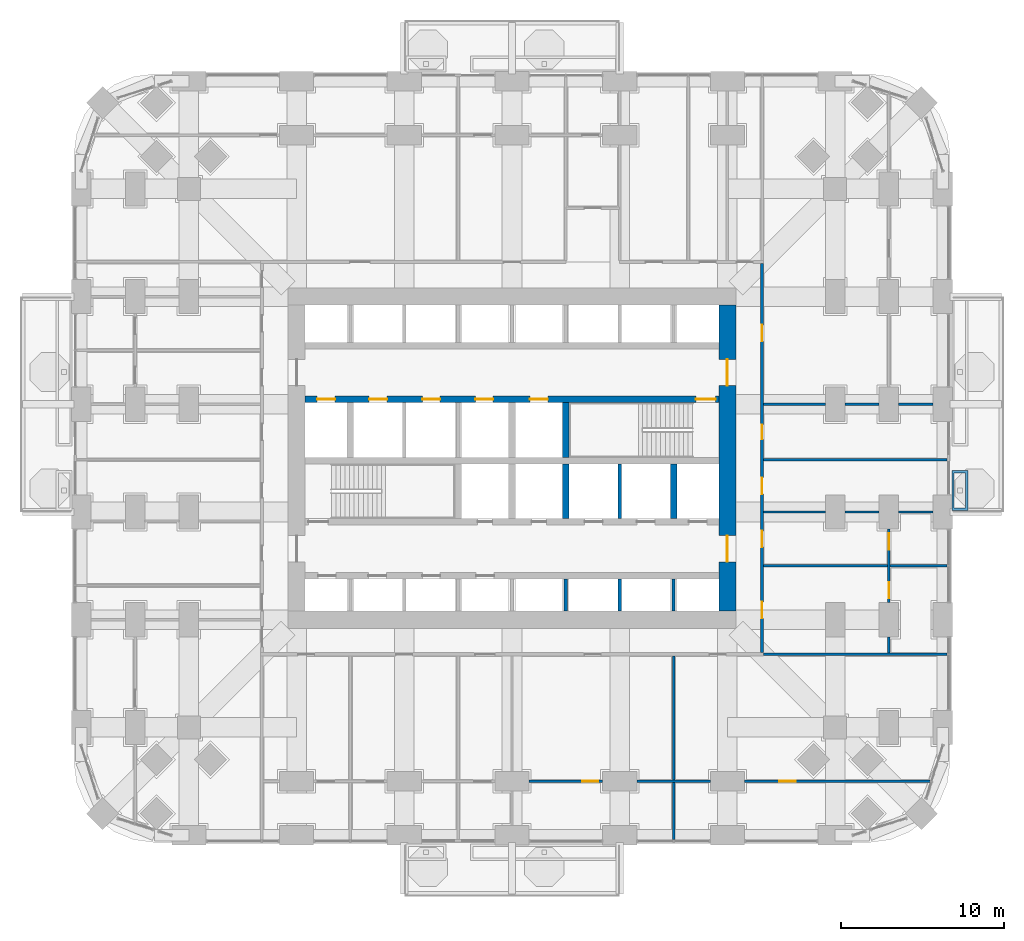
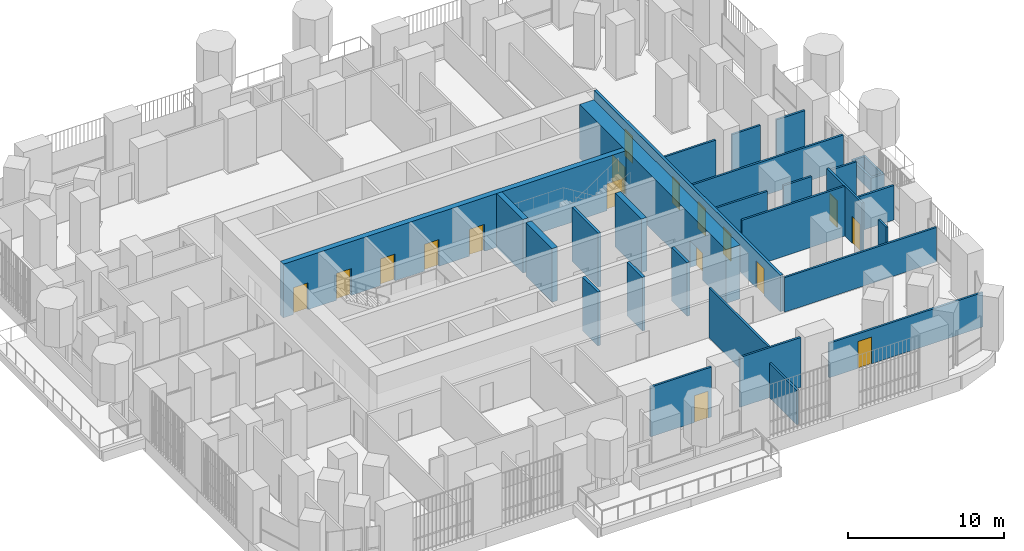
# One storey, part 19 of 26: 28 walls, 17 doors, 17 openings.
"""IFC4 building model written with IfcOpenShell, lengths in metres."""

from ifc_helpers import new_model, si_unit, direction, frame, frame_2d, origin, place, context, subcontext, project, spatial, polyline, rectangle, outline, extrude, material, layer, layer_set, type_object, element, fill, save


model = new_model("IFC4")

# Units and contexts
model_context = context("Model", 3, precision=1e-05, world=origin(), true_north=direction((0.0, 1.0)))
body_context = subcontext(model_context, "Body", "Model", "MODEL_VIEW")
ifc_project = project(units=[si_unit("LENGTHUNIT", "METRE"), si_unit("AREAUNIT", "SQUARE_METRE"), si_unit("VOLUMEUNIT", "CUBIC_METRE"), si_unit("PLANEANGLEUNIT", "RADIAN"), si_unit("MASSUNIT", "GRAM", prefix="KILO")], contexts=[model_context])

# Site, building, storey
site_placement = place(None, origin())
site = spatial("IfcSite", under=ifc_project, at=site_placement, CompositionType="ELEMENT")
building_placement = place(site_placement, origin())
building = spatial("IfcBuilding", under=site, at=building_placement, Name="Cobogo Forest Laboratory Tower", CompositionType="ELEMENT")
storey_placement = place(building_placement, frame((0.0, 0.0, 33.89990234375)))
storey = spatial("IfcBuildingStorey", under=building, at=storey_placement, Name="L07", CompositionType="ELEMENT", Elevation=33.89990234375)

# Wall, openings, doors
ifc_material_1 = material(Name="Concrete HA-50 (C50/60)", Category="concrete")
ifc_layer_1 = layer(ifc_material_1, 0.39990234375)
ifc_layer_set_1 = layer_set([ifc_layer_1], Name="CI400 core inner wall 400")
wall_type_1 = type_object("IfcWallType", Name="CI400 core inner wall 400", PredefinedType="SHEAR", material=ifc_layer_set_1)
wall_1_placement = place(storey_placement, frame((13.72509765625, 26.699951171875, 0.0), z_axis=(0.0, 0.0, 1.0), x_axis=(1.0, 0.0, 0.0)))
wall_1 = element("IfcWall", 1, at=wall_1_placement, inside=storey, type_object=wall_type_1, Name="Core wall CI-26.7 L07", PredefinedType="SHEAR", context=body_context, shape_type="SweptSolid", body=[
    extrude(rectangle(XDim=25.349853515625, YDim=0.39990234375, at=frame_2d((12.6748046875, 0.0))), origin(), (0.0, 0.0, 1.0), 4.2001953125),
])
opening_1_placement = place(wall_1_placement, frame((23.949951171875, 0.0, 0.0)))
opening_1 = element("IfcOpeningElement", 2, at=opening_1_placement, cuts=wall_1, Name="Opening L07-D31", PredefinedType="OPENING", context=body_context, shape_type="SweptSolid", body=[
    extrude(rectangle(XDim=1.199951171875, YDim=2.10009765625, at=frame_2d((0.60009765625, 1.050048828125))), frame((0.0, 0.2099609375, 0.0), z_axis=(0.0, -1.0, 0.0), x_axis=(1.0, 0.0, 0.0)), (0.0, 0.0, 1.0), 0.419921875),
])
opening_2_placement = place(wall_1_placement, frame((0.737548828125, 0.0, 0.0)))
opening_2 = element("IfcOpeningElement", 3, at=opening_2_placement, cuts=wall_1, Name="Opening L07-LD-FL1", PredefinedType="OPENING", context=body_context, shape_type="SweptSolid", body=[
    extrude(rectangle(XDim=1.10009765625, YDim=2.10009765625, at=frame_2d((0.550048828125, 1.050048828125))), frame((0.0, 0.2099609375, 0.0), z_axis=(0.0, -1.0, 0.0), x_axis=(1.0, 0.0, 0.0)), (0.0, 0.0, 1.0), 0.419921875),
])
opening_3_placement = place(wall_1_placement, frame((3.925048828125, 0.0, 0.0)))
opening_3 = element("IfcOpeningElement", 4, at=opening_3_placement, cuts=wall_1, Name="Opening L07-LD-LS3", PredefinedType="OPENING", context=body_context, shape_type="SweptSolid", body=[
    extrude(rectangle(XDim=1.10009765625, YDim=2.10009765625, at=frame_2d((0.550048828125, 1.050048828125))), frame((0.0, 0.2099609375, 0.0), z_axis=(0.0, -1.0, 0.0), x_axis=(1.0, 0.0, 0.0)), (0.0, 0.0, 1.0), 0.419921875),
])
opening_4_placement = place(wall_1_placement, frame((7.175048828125, 0.0, 0.0)))
opening_4 = element("IfcOpeningElement", 5, at=opening_4_placement, cuts=wall_1, Name="Opening L07-LD-LS4", PredefinedType="OPENING", context=body_context, shape_type="SweptSolid", body=[
    extrude(rectangle(XDim=1.10009765625, YDim=2.10009765625, at=frame_2d((0.550048828125, 1.050048828125))), frame((0.0, 0.2099609375, 0.0), z_axis=(0.0, -1.0, 0.0), x_axis=(1.0, 0.0, 0.0)), (0.0, 0.0, 1.0), 0.419921875),
])
opening_5_placement = place(wall_1_placement, frame((10.425048828125, 0.0, 0.0)))
opening_5 = element("IfcOpeningElement", 6, at=opening_5_placement, cuts=wall_1, Name="Opening L07-LD-LS5", PredefinedType="OPENING", context=body_context, shape_type="SweptSolid", body=[
    extrude(rectangle(XDim=1.10009765625, YDim=2.10009765625, at=frame_2d((0.550048828125, 1.050048828125))), frame((0.0, 0.2099609375, 0.0), z_axis=(0.0, -1.0, 0.0), x_axis=(1.0, 0.0, 0.0)), (0.0, 0.0, 1.0), 0.419921875),
])
opening_6_placement = place(wall_1_placement, frame((13.77490234375, 0.0, 0.0)))
opening_6 = element("IfcOpeningElement", 7, at=opening_6_placement, cuts=wall_1, Name="Opening L07-LD-LS6", PredefinedType="OPENING", context=body_context, shape_type="SweptSolid", body=[
    extrude(rectangle(XDim=1.10009765625, YDim=2.10009765625, at=frame_2d((0.550048828125, 1.050048828125))), frame((0.0, 0.2099609375, 0.0), z_axis=(0.0, -1.0, 0.0), x_axis=(1.0, 0.0, 0.0)), (0.0, 0.0, 1.0), 0.419921875),
])
ifc_material_2 = material(Name="Steel fire door", Category="steel")
door_type_1 = type_object("IfcDoorType", Name="DS1 protected stair door 1200 EI2 60", OperationType="SINGLE_SWING_LEFT", PredefinedType="DOOR", material=ifc_material_2)
door_1_placement = place(opening_1_placement, origin())
door_1 = element("IfcDoor", 8, at=door_1_placement, inside=storey, type_object=door_type_1, Name="Door L07-ST2", OperationType="SINGLE_SWING_RIGHT", OverallHeight=2.10009765625, OverallWidth=1.199951171875, PredefinedType="DOOR", context=body_context, shape_type="SweptSolid", body=[
    extrude(rectangle(XDim=1.199951171875, YDim=2.10009765625, at=frame_2d((0.60009765625, 1.050048828125))), frame((0.0, 0.02490234375, 0.0), z_axis=(0.0, -1.0, 0.0), x_axis=(1.0, 0.0, 0.0)), (0.0, 0.0, 1.0), 0.050048828125),
])
fill(opening_1, door_1)
ifc_material_3 = material(Name="Stainless steel lift door", Category="steel")
door_type_2 = type_object("IfcDoorType", Name="LD lift landing door 1100", OperationType="DOUBLE_DOOR_SLIDING", PredefinedType="DOOR", material=ifc_material_3)
door_2_placement = place(opening_2_placement, origin())
door_2 = element("IfcDoor", 9, at=door_2_placement, inside=storey, type_object=door_type_2, Name="Lift landing door FL1 L07", OperationType="DOUBLE_DOOR_SLIDING", OverallHeight=2.10009765625, OverallWidth=1.10009765625, PredefinedType="DOOR", context=body_context, shape_type="SweptSolid", body=[
    extrude(rectangle(XDim=1.10009765625, YDim=2.10009765625, at=frame_2d((0.550048828125, 1.050048828125))), frame((0.0, 0.02490234375, 0.0), z_axis=(0.0, -1.0, 0.0), x_axis=(1.0, 0.0, 0.0)), (0.0, 0.0, 1.0), 0.050048828125),
])
fill(opening_2, door_2)
door_3_placement = place(opening_3_placement, origin())
door_3 = element("IfcDoor", 10, at=door_3_placement, inside=storey, type_object=door_type_2, Name="Lift landing door LS3 L07", OperationType="DOUBLE_DOOR_SLIDING", OverallHeight=2.10009765625, OverallWidth=1.10009765625, PredefinedType="DOOR", context=body_context, shape_type="SweptSolid", body=[
    extrude(rectangle(XDim=1.10009765625, YDim=2.10009765625, at=frame_2d((0.550048828125, 1.050048828125))), frame((0.0, 0.02490234375, 0.0), z_axis=(0.0, -1.0, 0.0), x_axis=(1.0, 0.0, 0.0)), (0.0, 0.0, 1.0), 0.050048828125),
])
fill(opening_3, door_3)
door_4_placement = place(opening_4_placement, origin())
door_4 = element("IfcDoor", 11, at=door_4_placement, inside=storey, type_object=door_type_2, Name="Lift landing door LS4 L07", OperationType="DOUBLE_DOOR_SLIDING", OverallHeight=2.10009765625, OverallWidth=1.10009765625, PredefinedType="DOOR", context=body_context, shape_type="SweptSolid", body=[
    extrude(rectangle(XDim=1.10009765625, YDim=2.10009765625, at=frame_2d((0.550048828125, 1.050048828125))), frame((0.0, 0.02490234375, 0.0), z_axis=(0.0, -1.0, 0.0), x_axis=(1.0, 0.0, 0.0)), (0.0, 0.0, 1.0), 0.050048828125),
])
fill(opening_4, door_4)
door_5_placement = place(opening_5_placement, origin())
door_5 = element("IfcDoor", 12, at=door_5_placement, inside=storey, type_object=door_type_2, Name="Lift landing door LS5 L07", OperationType="DOUBLE_DOOR_SLIDING", OverallHeight=2.10009765625, OverallWidth=1.10009765625, PredefinedType="DOOR", context=body_context, shape_type="SweptSolid", body=[
    extrude(rectangle(XDim=1.10009765625, YDim=2.10009765625, at=frame_2d((0.550048828125, 1.050048828125))), frame((0.0, 0.02490234375, 0.0), z_axis=(0.0, -1.0, 0.0), x_axis=(1.0, 0.0, 0.0)), (0.0, 0.0, 1.0), 0.050048828125),
])
fill(opening_5, door_5)
door_6_placement = place(opening_6_placement, origin())
door_6 = element("IfcDoor", 13, at=door_6_placement, inside=storey, type_object=door_type_2, Name="Lift landing door LS6 L07", OperationType="DOUBLE_DOOR_SLIDING", OverallHeight=2.10009765625, OverallWidth=1.10009765625, PredefinedType="DOOR", context=body_context, shape_type="SweptSolid", body=[
    extrude(rectangle(XDim=1.10009765625, YDim=2.10009765625, at=frame_2d((0.550048828125, 1.050048828125))), frame((0.0, 0.02490234375, 0.0), z_axis=(0.0, -1.0, 0.0), x_axis=(1.0, 0.0, 0.0)), (0.0, 0.0, 1.0), 0.050048828125),
])
fill(opening_6, door_6)

# Walls
for number, where, z_axis, x_axis, name in (
    (14, (29.699951171875, 19.39990234375, 0.0), (0.0, 0.0, 1.0), (0.0, 1.0, 0.0), "Core wall CX-29.7S L07"),
    (15, (36.300048828125, 19.39990234375, 0.0), (0.0, 0.0, 1.0), (0.0, 1.0, 0.0), "Core wall CX-36.3 L07"),
    (16, (29.699951171875, 23.14990234375, 0.0), (0.0, 0.0, 1.0), (0.0, 1.0, 0.0), "Core wall CX-29.7N L07"),
):
    element("IfcWall", number, at=place(storey_placement, frame(where, z_axis=z_axis, x_axis=x_axis)), inside=storey, type_object=wall_type_1, Name=name, PredefinedType="SHEAR", context=body_context, shape_type="SweptSolid", body=[
        extrude(rectangle(XDim=3.35009765625, YDim=0.39990234375, at=frame_2d((1.675048828125, 0.0))), origin(), (0.0, 0.0, 1.0), 4.2001953125),
    ])

# Wall, openings, doors
ifc_layer_2 = layer(ifc_material_1, 1.050048828125)
ifc_layer_set_2 = layer_set([ifc_layer_2], Name="CW1050 core outer wall 1050")
wall_type_2 = type_object("IfcWallType", Name="CW1050 core outer wall 1050", PredefinedType="SHEAR", material=ifc_layer_set_2)
wall_2_placement = place(storey_placement, frame((39.60009765625, 13.72509765625, 0.0), z_axis=(0.0, 0.0, 1.0), x_axis=(0.0, 1.0, 0.0)))
wall_2 = element("IfcWall", 17, at=wall_2_placement, inside=storey, type_object=wall_type_2, Name="Core wall CO-E L07", PredefinedType="SHEAR", context=body_context, shape_type="SweptSolid", body=[
    extrude(rectangle(XDim=18.75, YDim=1.050048828125, at=frame_2d((9.375, 0.0))), origin(), (0.0, 0.0, 1.0), 4.2001953125),
])
opening_7_placement = place(wall_2_placement, frame((3.02490234375, 0.0, 0.0)))
opening_7 = element("IfcOpeningElement", 18, at=opening_7_placement, cuts=wall_2, Name="Opening L07-D19", PredefinedType="OPENING", context=body_context, shape_type="SweptSolid", body=[
    extrude(rectangle(XDim=1.60009765625, YDim=2.10009765625, at=frame_2d((0.800048828125, 1.050048828125))), frame((0.0, 0.534912109375, 0.0), z_axis=(0.0, -1.0, 0.0), x_axis=(1.0, 0.0, 0.0)), (0.0, 0.0, 1.0), 1.070068359375),
])
opening_8_placement = place(wall_2_placement, frame((13.824951171875, 0.0, 0.0)))
opening_8 = element("IfcOpeningElement", 19, at=opening_8_placement, cuts=wall_2, Name="Opening L07-D35", PredefinedType="OPENING", context=body_context, shape_type="SweptSolid", body=[
    extrude(rectangle(XDim=1.60009765625, YDim=2.10009765625, at=frame_2d((0.800048828125, 1.050048828125))), frame((0.0, 0.534912109375, 0.0), z_axis=(0.0, -1.0, 0.0), x_axis=(1.0, 0.0, 0.0)), (0.0, 0.0, 1.0), 1.070068359375),
])
door_type_3 = type_object("IfcDoorType", Name="DS2 protected lobby door pair 1600 EI2 60", OperationType="DOUBLE_DOOR_DOUBLE_SWING", PredefinedType="DOOR", material=ifc_material_2)
door_7_placement = place(opening_7_placement, origin())
door_7 = element("IfcDoor", 20, at=door_7_placement, inside=storey, type_object=door_type_3, Name="Door L07-CO-E-S", OperationType="DOUBLE_DOOR_DOUBLE_SWING", OverallHeight=2.10009765625, OverallWidth=1.60009765625, PredefinedType="DOOR", context=body_context, shape_type="SweptSolid", body=[
    extrude(rectangle(XDim=1.60009765625, YDim=2.10009765625, at=frame_2d((0.800048828125, 1.050048828125))), frame((0.0, 0.02490234375, 0.0), z_axis=(0.0, -1.0, 0.0), x_axis=(1.0, 0.0, 0.0)), (0.0, 0.0, 1.0), 0.050048828125),
])
fill(opening_7, door_7)
door_8_placement = place(opening_8_placement, origin())
door_8 = element("IfcDoor", 21, at=door_8_placement, inside=storey, type_object=door_type_3, Name="Door L07-CO-E-N", OperationType="DOUBLE_DOOR_DOUBLE_SWING", OverallHeight=2.10009765625, OverallWidth=1.60009765625, PredefinedType="DOOR", context=body_context, shape_type="SweptSolid", body=[
    extrude(rectangle(XDim=1.60009765625, YDim=2.10009765625, at=frame_2d((0.800048828125, 1.050048828125))), frame((0.0, 0.02490234375, 0.0), z_axis=(0.0, -1.0, 0.0), x_axis=(1.0, 0.0, 0.0)), (0.0, 0.0, 1.0), 0.050048828125),
])
fill(opening_8, door_8)

# Wall
ifc_material_4 = material(Name="Gypsum board on steel studs", Category="steel")
ifc_layer_3 = layer(ifc_material_4, 0.14990234375)
ifc_layer_set_3 = layer_set([ifc_layer_3], Name="PT1 laboratory partition 150")
wall_type_3 = type_object("IfcWallType", Name="PT1 laboratory partition 150", PredefinedType="PARTITIONING", material=ifc_layer_set_3)
wall_3_placement = place(storey_placement, frame((53.070068359375, 11.074951171875, 0.0), z_axis=(0.0, 0.0, 1.0), x_axis=(-1.0, 0.0, 0.0)))
element("IfcWall", 22, at=wall_3_placement, inside=storey, type_object=wall_type_3, Name="Partition PW-SE L07", PredefinedType="PARTITIONING", context=body_context, shape_type="SweptSolid", body=[
    extrude(rectangle(XDim=11.2451171875, YDim=0.14990234375, at=frame_2d((5.62255859375, 0.0))), origin(), (0.0, 0.0, 1.0), 2.7001953125),
])

# Wall, opening, door
wall_4_placement = place(storey_placement, frame((27.449951171875, 3.300048828125, 0.0), z_axis=(0.0, 0.0, 1.0), x_axis=(1.0, 0.0, 0.0)))
wall_4 = element("IfcWall", 23, at=wall_4_placement, inside=storey, type_object=wall_type_3, Name="Partition STRIP-S-4 L07", PredefinedType="PARTITIONING", context=body_context, shape_type="SweptSolid", body=[
    extrude(rectangle(XDim=4.5, YDim=0.14990234375, at=frame_2d((2.25, 0.0))), origin(), (0.0, 0.0, 1.0), 3.900146484375),
])
opening_9_placement = place(wall_4_placement, frame((3.25, 0.0, 0.0)))
opening_9 = element("IfcOpeningElement", 24, at=opening_9_placement, cuts=wall_4, Name="Opening L07-D05", PredefinedType="OPENING", context=body_context, shape_type="SweptSolid", body=[
    extrude(rectangle(XDim=1.0, YDim=2.10009765625, at=frame_2d((0.5, 1.050048828125))), frame((0.0, 0.0849609375, 0.0), z_axis=(0.0, -1.0, 0.0), x_axis=(1.0, 0.0, 0.0)), (0.0, 0.0, 1.0), 0.169921875),
])
ifc_material_5 = material(Name="Timber fire door", Category="wood")
door_type_4 = type_object("IfcDoorType", Name="FD2 fire door 1000 EI2 30", OperationType="SINGLE_SWING_LEFT", PredefinedType="DOOR", material=ifc_material_5)
door_9_placement = place(opening_9_placement, origin())
door_9 = element("IfcDoor", 25, at=door_9_placement, inside=storey, type_object=door_type_4, Name="Door L07-S4W", OperationType="SINGLE_SWING_RIGHT", OverallHeight=2.10009765625, OverallWidth=1.0, PredefinedType="DOOR", context=body_context, shape_type="SweptSolid", body=[
    extrude(rectangle(XDim=1.0, YDim=2.10009765625, at=frame_2d((0.5, 1.050048828125))), frame((0.0, 0.02490234375, 0.0), z_axis=(0.0, -1.0, 0.0), x_axis=(1.0, 0.0, 0.0)), (0.0, 0.0, 1.0), 0.050048828125),
])
fill(opening_9, door_9)

# Wall
wall_5_placement = place(storey_placement, frame((34.050048828125, 3.300048828125, 0.0), z_axis=(0.0, 0.0, 1.0), x_axis=(1.0, 0.0, 0.0)))
element("IfcWall", 26, at=wall_5_placement, inside=storey, type_object=wall_type_3, Name="Partition STRIP-S-5 L07", PredefinedType="PARTITIONING", context=body_context, shape_type="SweptSolid", body=[
    extrude(rectangle(XDim=4.5, YDim=0.14990234375, at=frame_2d((2.25, 0.0))), origin(), (0.0, 0.0, 1.0), 3.900146484375),
])

# Wall, opening, door
wall_6_placement = place(storey_placement, frame((40.64990234375, 3.300048828125, 0.0), z_axis=(0.0, 0.0, 1.0), x_axis=(1.0, 0.0, 0.0)))
wall_6 = element("IfcWall", 27, at=wall_6_placement, inside=storey, type_object=wall_type_3, Name="Partition STRIP-S-6 L07", PredefinedType="PARTITIONING", context=body_context, shape_type="SweptSolid", body=[
    extrude(rectangle(XDim=11.3740234375, YDim=0.14990234375, at=frame_2d((5.68701171875, 0.0))), origin(), (0.0, 0.0, 1.0), 2.7001953125),
])
opening_10_placement = place(wall_6_placement, frame((2.14208984375, 0.0, 0.0)))
opening_10 = element("IfcOpeningElement", 28, at=opening_10_placement, cuts=wall_6, Name="Opening L07-D06", PredefinedType="OPENING", context=body_context, shape_type="SweptSolid", body=[
    extrude(rectangle(XDim=1.0, YDim=2.10009765625, at=frame_2d((0.5, 1.050048828125))), frame((0.0, 0.0849609375, 0.0), z_axis=(0.0, -1.0, 0.0), x_axis=(1.0, 0.0, 0.0)), (0.0, 0.0, 1.0), 0.169921875),
])
door_10_placement = place(opening_10_placement, origin())
door_10 = element("IfcDoor", 29, at=door_10_placement, inside=storey, type_object=door_type_4, Name="Door L07-S5W", OperationType="SINGLE_SWING_LEFT", OverallHeight=2.10009765625, OverallWidth=1.0, PredefinedType="DOOR", context=body_context, shape_type="SweptSolid", body=[
    extrude(rectangle(XDim=1.0, YDim=2.10009765625, at=frame_2d((0.5, 1.050048828125))), frame((0.0, 0.02490234375, 0.0), z_axis=(0.0, -1.0, 0.0), x_axis=(1.0, 0.0, 0.0)), (0.0, 0.0, 1.0), 0.050048828125),
])
fill(opening_10, door_10)

# Walls
wall_7_placement = place(storey_placement, frame((36.300048828125, -0.27001953125, 0.0), z_axis=(0.0, 0.0, 1.0), x_axis=(0.0, 1.0, 0.0)))
element("IfcWall", 30, at=wall_7_placement, inside=storey, type_object=wall_type_3, Name="Partition CUT-S36.3a-1 L07", PredefinedType="PARTITIONING", context=body_context, shape_type="SweptSolid", body=[
    extrude(rectangle(XDim=3.4951171875, YDim=0.14990234375, at=frame_2d((1.74755859375, 0.0))), origin(), (0.0, 0.0, 1.0), 2.7001953125),
])
wall_8_placement = place(storey_placement, frame((36.300048828125, 3.375, 0.0), z_axis=(0.0, 0.0, 1.0), x_axis=(0.0, 1.0, 0.0)))
element("IfcWall", 31, at=wall_8_placement, inside=storey, type_object=wall_type_3, Name="Partition CUT-S36.3b-1 L07", PredefinedType="PARTITIONING", context=body_context, shape_type="SweptSolid", body=[
    extrude(rectangle(XDim=7.60009765625, YDim=0.14990234375, at=frame_2d((3.800048828125, 0.0))), origin(), (0.0, 0.0, 1.0), 3.900146484375),
])
wall_9_placement = place(storey_placement, frame((49.5, 11.14990234375, 0.0), z_axis=(0.0, 0.0, 1.0), x_axis=(0.0, 1.0, 0.0)))
element("IfcWall", 32, at=wall_9_placement, inside=storey, type_object=wall_type_3, Name="Partition STRIP-E-1 L07", PredefinedType="PARTITIONING", context=body_context, shape_type="SweptSolid", body=[
    extrude(rectangle(XDim=1.0, YDim=0.14990234375, at=frame_2d((0.5, 0.0))), origin(), (0.0, 0.0, 1.0), 3.900146484375),
])

# Wall, openings, doors
wall_10_placement = place(storey_placement, frame((49.5, 14.25, 0.0), z_axis=(0.0, 0.0, 1.0), x_axis=(0.0, 1.0, 0.0)))
wall_10 = element("IfcWall", 33, at=wall_10_placement, inside=storey, type_object=wall_type_3, Name="Partition STRIP-E-2 L07", PredefinedType="PARTITIONING", context=body_context, shape_type="SweptSolid", body=[
    extrude(rectangle(XDim=4.5, YDim=0.14990234375, at=frame_2d((2.25, 0.0))), origin(), (0.0, 0.0, 1.0), 3.900146484375),
])
opening_11_placement = place(wall_10_placement, frame((0.25, 0.0, 0.0)))
opening_11 = element("IfcOpeningElement", 34, at=opening_11_placement, cuts=wall_10, Name="Opening L07-D16", PredefinedType="OPENING", context=body_context, shape_type="SweptSolid", body=[
    extrude(rectangle(XDim=1.0, YDim=2.10009765625, at=frame_2d((0.5, 1.050048828125))), frame((0.0, 0.0849609375, 0.0), z_axis=(0.0, -1.0, 0.0), x_axis=(1.0, 0.0, 0.0)), (0.0, 0.0, 1.0), 0.169921875),
])
opening_12_placement = place(wall_10_placement, frame((3.25, 0.0, 0.0)))
opening_12 = element("IfcOpeningElement", 35, at=opening_12_placement, cuts=wall_10, Name="Opening L07-D20", PredefinedType="OPENING", context=body_context, shape_type="SweptSolid", body=[
    extrude(rectangle(XDim=1.0, YDim=2.10009765625, at=frame_2d((0.5, 1.050048828125))), frame((0.0, 0.0849609375, 0.0), z_axis=(0.0, -1.0, 0.0), x_axis=(1.0, 0.0, 0.0)), (0.0, 0.0, 1.0), 0.169921875),
])
door_11_placement = place(opening_11_placement, origin())
door_11 = element("IfcDoor", 36, at=door_11_placement, inside=storey, type_object=door_type_4, Name="Door L07-E1W", OperationType="SINGLE_SWING_LEFT", OverallHeight=2.10009765625, OverallWidth=1.0, PredefinedType="DOOR", context=body_context, shape_type="SweptSolid", body=[
    extrude(rectangle(XDim=1.0, YDim=2.10009765625, at=frame_2d((0.5, 1.050048828125))), frame((0.0, 0.02490234375, 0.0), z_axis=(0.0, -1.0, 0.0), x_axis=(1.0, 0.0, 0.0)), (0.0, 0.0, 1.0), 0.050048828125),
])
fill(opening_11, door_11)
door_12_placement = place(opening_12_placement, origin())
door_12 = element("IfcDoor", 37, at=door_12_placement, inside=storey, type_object=door_type_4, Name="Door L07-E2W", OperationType="SINGLE_SWING_RIGHT", OverallHeight=2.10009765625, OverallWidth=1.0, PredefinedType="DOOR", context=body_context, shape_type="SweptSolid", body=[
    extrude(rectangle(XDim=1.0, YDim=2.10009765625, at=frame_2d((0.5, 1.050048828125))), frame((0.0, 0.02490234375, 0.0), z_axis=(0.0, -1.0, 0.0), x_axis=(1.0, 0.0, 0.0)), (0.0, 0.0, 1.0), 0.050048828125),
])
fill(opening_12, door_12)

# Walls
wall_11_placement = place(storey_placement, frame((53.070068359375, 23.0, 0.0), z_axis=(0.0, 0.0, 1.0), x_axis=(-1.0, 0.0, 0.0)))
element("IfcWall", 38, at=wall_11_placement, inside=storey, type_object=wall_type_3, Name="Partition SVC-E1-1 L07", PredefinedType="PARTITIONING", context=body_context, shape_type="SweptSolid", body=[
    extrude(rectangle(XDim=11.2451171875, YDim=0.14990234375, at=frame_2d((5.62255859375, 0.0))), origin(), (0.0, 0.0, 1.0), 2.7001953125),
])
for number, where, z_axis, x_axis, name in (
    (39, (52.199951171875, 26.39990234375, 0.0), (0.0, 0.0, 1.0), (-1.0, 0.0, 0.0), "Partition SVC-E2-1 L07"),
    (40, (48.89990234375, 26.39990234375, 0.0), (0.0, 0.0, 1.0), (-1.0, 0.0, 0.0), "Partition SVC-E2-2 L07"),
):
    element("IfcWall", number, at=place(storey_placement, frame(where, z_axis=z_axis, x_axis=x_axis)), inside=storey, type_object=wall_type_3, Name=name, PredefinedType="PARTITIONING", context=body_context, shape_type="SweptSolid", body=[
        extrude(rectangle(XDim=2.099853515625, YDim=0.14990234375, at=frame_2d((1.0498046875, 0.0))), origin(), (0.0, 0.0, 1.0), 2.85009765625),
    ])
wall_12_placement = place(storey_placement, frame((45.60009765625, 26.39990234375, 0.0), z_axis=(0.0, 0.0, 1.0), x_axis=(-1.0, 0.0, 0.0)))
element("IfcWall", 41, at=wall_12_placement, inside=storey, type_object=wall_type_3, Name="Partition SVC-E2-3 L07", PredefinedType="PARTITIONING", context=body_context, shape_type="SweptSolid", body=[
    extrude(rectangle(XDim=3.775146484375, YDim=0.14990234375, at=frame_2d((1.8876953125, 0.0))), origin(), (0.0, 0.0, 1.0), 2.85009765625),
])
wall_13_placement = place(storey_placement, frame((53.070068359375, 16.5, 0.0), z_axis=(0.0, 0.0, 1.0), x_axis=(-1.0, 0.0, 0.0)))
element("IfcWall", 42, at=wall_13_placement, inside=storey, type_object=wall_type_3, Name="Partition CUT-E16.5a-1 L07", PredefinedType="PARTITIONING", context=body_context, shape_type="SweptSolid", body=[
    extrude(rectangle(XDim=3.4951171875, YDim=0.14990234375, at=frame_2d((1.74755859375, 0.0))), origin(), (0.0, 0.0, 1.0), 2.7001953125),
])
wall_14_placement = place(storey_placement, frame((49.425048828125, 16.5, 0.0), z_axis=(0.0, 0.0, 1.0), x_axis=(-1.0, 0.0, 0.0)))
element("IfcWall", 43, at=wall_14_placement, inside=storey, type_object=wall_type_3, Name="Partition CUT-E16.5b-1 L07", PredefinedType="PARTITIONING", context=body_context, shape_type="SweptSolid", body=[
    extrude(rectangle(XDim=7.60009765625, YDim=0.14990234375, at=frame_2d((3.800048828125, 0.0))), origin(), (0.0, 0.0, 1.0), 3.900146484375),
])
for number, where, z_axis, x_axis, name in (
    (44, (52.199951171875, 19.800048828125, 0.0), (0.0, 0.0, 1.0), (-1.0, 0.0, 0.0), "Partition CUT-E19.8-1 L07"),
    (45, (48.89990234375, 19.800048828125, 0.0), (0.0, 0.0, 1.0), (-1.0, 0.0, 0.0), "Partition CUT-E19.8-2 L07"),
):
    element("IfcWall", number, at=place(storey_placement, frame(where, z_axis=z_axis, x_axis=x_axis)), inside=storey, type_object=wall_type_3, Name=name, PredefinedType="PARTITIONING", context=body_context, shape_type="SweptSolid", body=[
        extrude(rectangle(XDim=2.099853515625, YDim=0.14990234375, at=frame_2d((1.0498046875, 0.0))), origin(), (0.0, 0.0, 1.0), 2.85009765625),
    ])
wall_15_placement = place(storey_placement, frame((45.60009765625, 19.800048828125, 0.0), z_axis=(0.0, 0.0, 1.0), x_axis=(-1.0, 0.0, 0.0)))
element("IfcWall", 46, at=wall_15_placement, inside=storey, type_object=wall_type_3, Name="Partition CUT-E19.8-3 L07", PredefinedType="PARTITIONING", context=body_context, shape_type="SweptSolid", body=[
    extrude(rectangle(XDim=3.775146484375, YDim=0.14990234375, at=frame_2d((1.8876953125, 0.0))), origin(), (0.0, 0.0, 1.0), 2.85009765625),
])

# Wall, openings, doors
ifc_layer_4 = layer(ifc_material_4, 0.199951171875)
ifc_layer_set_4 = layer_set([ifc_layer_4], Name="PT2 fire-rated corridor partition 200")
wall_type_4 = type_object("IfcWallType", Name="PT2 fire-rated corridor partition 200", PredefinedType="PARTITIONING", material=ifc_layer_set_4)
wall_16_placement = place(storey_placement, frame((41.72509765625, 11.175048828125, 0.0), z_axis=(0.0, 0.0, 1.0), x_axis=(0.0, 1.0, 0.0)))
wall_16 = element("IfcWall", 47, at=wall_16_placement, inside=storey, type_object=wall_type_4, Name="Partition CORR-E L07", PredefinedType="PARTITIONING", context=body_context, shape_type="SweptSolid", body=[
    extrude(rectangle(XDim=23.849853515625, YDim=0.199951171875, at=frame_2d((11.9248046875, 0.0))), origin(), (0.0, 0.0, 1.0), 2.85009765625),
])
opening_13_placement = place(wall_16_placement, frame((2.112548828125, 0.0, 0.0)))
opening_13 = element("IfcOpeningElement", 48, at=opening_13_placement, cuts=wall_16, Name="Opening L07-D14", PredefinedType="OPENING", context=body_context, shape_type="SweptSolid", body=[
    extrude(rectangle(XDim=1.0, YDim=2.10009765625, at=frame_2d((0.5, 1.050048828125))), frame((0.0, 0.10986328125, 0.0), z_axis=(0.0, -1.0, 0.0), x_axis=(1.0, 0.0, 0.0)), (0.0, 0.0, 1.0), 0.219970703125),
])
opening_14_placement = place(wall_16_placement, frame((6.47509765625, 0.0, 0.0)))
opening_14 = element("IfcOpeningElement", 49, at=opening_14_placement, cuts=wall_16, Name="Opening L07-D21", PredefinedType="OPENING", context=body_context, shape_type="SweptSolid", body=[
    extrude(rectangle(XDim=1.0, YDim=2.10009765625, at=frame_2d((0.5, 1.050048828125))), frame((0.0, 0.10986328125, 0.0), z_axis=(0.0, -1.0, 0.0), x_axis=(1.0, 0.0, 0.0)), (0.0, 0.0, 1.0), 0.219970703125),
])
opening_15_placement = place(wall_16_placement, frame((9.72509765625, 0.0, 0.0)))
opening_15 = element("IfcOpeningElement", 50, at=opening_15_placement, cuts=wall_16, Name="Opening L07-D26", PredefinedType="OPENING", context=body_context, shape_type="SweptSolid", body=[
    extrude(rectangle(XDim=1.0, YDim=2.10009765625, at=frame_2d((0.5, 1.050048828125))), frame((0.0, 0.10986328125, 0.0), z_axis=(0.0, -1.0, 0.0), x_axis=(1.0, 0.0, 0.0)), (0.0, 0.0, 1.0), 0.219970703125),
])
opening_16_placement = place(wall_16_placement, frame((13.074951171875, 0.0, 0.0)))
opening_16 = element("IfcOpeningElement", 51, at=opening_16_placement, cuts=wall_16, Name="Opening L07-D30", PredefinedType="OPENING", context=body_context, shape_type="SweptSolid", body=[
    extrude(rectangle(XDim=0.89990234375, YDim=2.10009765625, at=frame_2d((0.449951171875, 1.050048828125))), frame((0.0, 0.10986328125, 0.0), z_axis=(0.0, -1.0, 0.0), x_axis=(1.0, 0.0, 0.0)), (0.0, 0.0, 1.0), 0.219970703125),
])
opening_17_placement = place(wall_16_placement, frame((19.08740234375, 0.0, 0.0)))
opening_17 = element("IfcOpeningElement", 52, at=opening_17_placement, cuts=wall_16, Name="Opening L07-D36", PredefinedType="OPENING", context=body_context, shape_type="SweptSolid", body=[
    extrude(rectangle(XDim=1.0, YDim=2.10009765625, at=frame_2d((0.5, 1.050048828125))), frame((0.0, 0.10986328125, 0.0), z_axis=(0.0, -1.0, 0.0), x_axis=(1.0, 0.0, 0.0)), (0.0, 0.0, 1.0), 0.219970703125),
])
door_type_5 = type_object("IfcDoorType", Name="FD1 fire door 1000 EI2 60", OperationType="SINGLE_SWING_LEFT", PredefinedType="DOOR", material=ifc_material_2)
door_13_placement = place(opening_13_placement, origin())
door_13 = element("IfcDoor", 53, at=door_13_placement, inside=storey, type_object=door_type_5, Name="Door L07-E1", OperationType="SINGLE_SWING_LEFT", OverallHeight=2.10009765625, OverallWidth=1.0, PredefinedType="DOOR", context=body_context, shape_type="SweptSolid", body=[
    extrude(rectangle(XDim=1.0, YDim=2.10009765625, at=frame_2d((0.5, 1.050048828125))), frame((0.0, 0.02490234375, 0.0), z_axis=(0.0, -1.0, 0.0), x_axis=(1.0, 0.0, 0.0)), (0.0, 0.0, 1.0), 0.050048828125),
])
fill(opening_13, door_13)
door_14_placement = place(opening_15_placement, origin())
door_14 = element("IfcDoor", 54, at=door_14_placement, inside=storey, type_object=door_type_5, Name="Door L07-ELEC", OperationType="SINGLE_SWING_LEFT", OverallHeight=2.10009765625, OverallWidth=1.0, PredefinedType="DOOR", context=body_context, shape_type="SweptSolid", body=[
    extrude(rectangle(XDim=1.0, YDim=2.10009765625, at=frame_2d((0.5, 1.050048828125))), frame((0.0, 0.02490234375, 0.0), z_axis=(0.0, -1.0, 0.0), x_axis=(1.0, 0.0, 0.0)), (0.0, 0.0, 1.0), 0.050048828125),
])
fill(opening_15, door_14)
door_15_placement = place(opening_14_placement, origin())
door_15 = element("IfcDoor", 55, at=door_15_placement, inside=storey, type_object=door_type_4, Name="Door L07-E2", OperationType="SINGLE_SWING_LEFT", OverallHeight=2.10009765625, OverallWidth=1.0, PredefinedType="DOOR", context=body_context, shape_type="SweptSolid", body=[
    extrude(rectangle(XDim=1.0, YDim=2.10009765625, at=frame_2d((0.5, 1.050048828125))), frame((0.0, 0.02490234375, 0.0), z_axis=(0.0, -1.0, 0.0), x_axis=(1.0, 0.0, 0.0)), (0.0, 0.0, 1.0), 0.050048828125),
])
fill(opening_14, door_15)
door_16_placement = place(opening_17_placement, origin())
door_16 = element("IfcDoor", 56, at=door_16_placement, inside=storey, type_object=door_type_4, Name="Door L07-E3", OperationType="SINGLE_SWING_RIGHT", OverallHeight=2.10009765625, OverallWidth=1.0, PredefinedType="DOOR", context=body_context, shape_type="SweptSolid", body=[
    extrude(rectangle(XDim=1.0, YDim=2.10009765625, at=frame_2d((0.5, 1.050048828125))), frame((0.0, 0.02490234375, 0.0), z_axis=(0.0, -1.0, 0.0), x_axis=(1.0, 0.0, 0.0)), (0.0, 0.0, 1.0), 0.050048828125),
])
fill(opening_17, door_16)
door_type_6 = type_object("IfcDoorType", Name="FD4 riser access door 900 EI2 60", OperationType="SINGLE_SWING_LEFT", PredefinedType="DOOR", material=ifc_material_2)
door_17_placement = place(opening_16_placement, origin())
door_17 = element("IfcDoor", 57, at=door_17_placement, inside=storey, type_object=door_type_6, Name="Door L07-COMMS", OperationType="SINGLE_SWING_RIGHT", OverallHeight=2.10009765625, OverallWidth=0.89990234375, PredefinedType="DOOR", context=body_context, shape_type="SweptSolid", body=[
    extrude(rectangle(XDim=0.89990234375, YDim=2.10009765625, at=frame_2d((0.449951171875, 1.050048828125))), frame((0.0, 0.02490234375, 0.0), z_axis=(0.0, -1.0, 0.0), x_axis=(1.0, 0.0, 0.0)), (0.0, 0.0, 1.0), 0.050048828125),
])
fill(opening_16, door_17)

# Walls
ifc_material_6 = material(Name="Concrete HA-40 (C40/50)", Category="concrete")
ifc_layer_5 = layer(ifc_material_6, 0.14990234375)
ifc_layer_set_5 = layer_set([ifc_layer_5], Name="Planter box 1000x1050")
wall_type_5 = type_object("IfcWallType", Name="Planter box 1000x1050", PredefinedType="USERDEFINED", material=ifc_layer_set_5)
wall_17_placement = place(storey_placement, origin())
element("IfcWall", 58, at=wall_17_placement, inside=storey, type_object=wall_type_5, Name="Planter BAL-E1-1 L07", ObjectType="PLANTER", PredefinedType="USERDEFINED", context=body_context, shape_type="SweptSolid", body=[
    extrude(outline(polyline([(53.35009765625, 19.89990234375), (54.35009765625, 19.89990234375), (54.35009765625, 22.35009765625), (53.35009765625, 22.35009765625), (53.35009765625, 19.89990234375)]), holes=[polyline([(53.5, 20.050048828125), (54.199951171875, 20.050048828125), (54.199951171875, 22.199951171875), (53.5, 22.199951171875), (53.5, 20.050048828125)])]), origin(), (0.0, 0.0, 1.0), 1.050048828125),
])
ifc_material_7 = material(Name="Concrete block", Category="concrete")
ifc_layer_6 = layer(ifc_material_7, 0.199951171875)
ifc_layer_set_6 = layer_set([ifc_layer_6], Name="SW200 lift shaft separator 200")
wall_type_6 = type_object("IfcWallType", Name="SW200 lift shaft separator 200", PredefinedType="PARTITIONING", material=ifc_layer_set_6)
for number, where, z_axis, x_axis, name in (
    (59, (29.699951171875, 13.72509765625, 0.0), (0.0, 0.0, 1.0), (0.0, 1.0, 0.0), "Core wall SEP-S5 L07"),
    (60, (33.0, 13.72509765625, 0.0), (0.0, 0.0, 1.0), (0.0, 1.0, 0.0), "Core wall SEP-S6 L07"),
    (61, (36.300048828125, 13.72509765625, 0.0), (0.0, 0.0, 1.0), (0.0, 1.0, 0.0), "Core wall SEP-S7 L07"),
):
    element("IfcWall", number, at=place(storey_placement, frame(where, z_axis=z_axis, x_axis=x_axis)), inside=storey, type_object=wall_type_6, Name=name, PredefinedType="PARTITIONING", context=body_context, shape_type="SweptSolid", body=[
        extrude(rectangle(XDim=1.974853515625, YDim=0.199951171875, at=frame_2d((0.9873046875, 0.0))), origin(), (0.0, 0.0, 1.0), 4.2001953125),
    ])
wall_18_placement = place(storey_placement, frame((33.0, 19.39990234375, 0.0), z_axis=(0.0, 0.0, 1.0), x_axis=(0.0, 1.0, 0.0)))
element("IfcWall", 62, at=wall_18_placement, inside=storey, type_object=wall_type_6, Name="Core wall SEP-M33.0 L07", PredefinedType="PARTITIONING", context=body_context, shape_type="SweptSolid", body=[
    extrude(rectangle(XDim=3.35009765625, YDim=0.199951171875, at=frame_2d((1.675048828125, 0.0))), origin(), (0.0, 0.0, 1.0), 4.2001953125),
])

save(model, "model.ifc")
